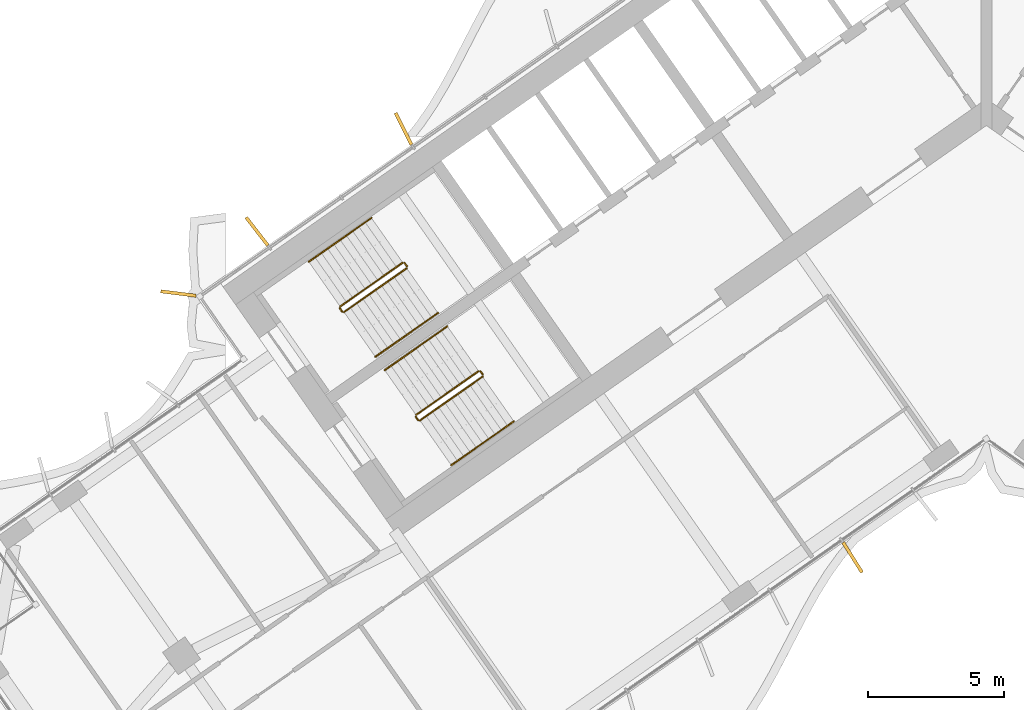
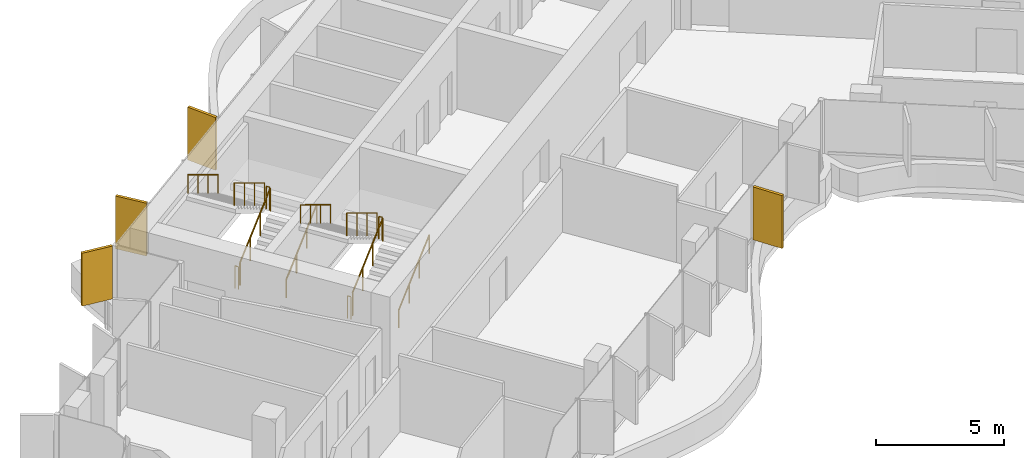
# One storey, part 20 of 23: 12 railings, 4 shading devices.
"""IFC4 building model written with IfcOpenShell, lengths in metres."""

import ifcopenshell
import ifcopenshell.guid

model = None  # the IFC model being written
_history = None  # IfcOwnerHistory: only IFC2X3 demands one
_inside = {}  # id of a spatial element -> (the spatial element, [elements in it])
_under = {}  # id of a project, library or spatial element -> (it, [spatial elements below it])
_declared = {}  # id of a project -> (the project, [libraries it declares])
_typed = {}  # id of a type object -> (the type object, [elements of that type])
_made_of = {}  # id of a material, layer set ... -> (it, [elements and type objects made of it])


def new_model(schema):
    """Start an empty IFC model of exactly this schema.

    Asked for "IFC4X3", IfcOpenShell would pick the latest addendum, in which some entities
    have other attributes; the version numbers below select the first issue.
    IFC2X3 requires an IfcOwnerHistory on every rooted entity: one is made here for all.
    """
    global model, _history
    if schema == "IFC4X3":
        model = ifcopenshell.file(schema_version=(4, 3, 0, 0))
    else:
        model = ifcopenshell.file(schema=schema)
    _inside.clear()
    _under.clear()
    _declared.clear()
    _typed.clear()
    _made_of.clear()
    _history = None
    if model.schema == "IFC2X3":
        org = make("IfcOrganization", Name="unknown")
        user = make(
            "IfcPersonAndOrganization",
            ThePerson=make("IfcPerson", FamilyName="unknown"),
            TheOrganization=org,
        )
        app = make(
            "IfcApplication",
            ApplicationDeveloper=org,
            Version="unknown",
            ApplicationFullName="unknown",
            ApplicationIdentifier="unknown",
        )
        _history = make(
            "IfcOwnerHistory",
            OwningUser=user,
            OwningApplication=app,
            ChangeAction="ADDED",
            CreationDate=0,
        )
    return model


def make(cls, **values):
    """One entity of the class cls with the attributes given. An attribute that is None is left unset."""
    return model.create_entity(
        cls, **{name: value for name, value in values.items() if value is not None}
    )


def rooted(cls, **values):
    """An entity with a GlobalId (a new one), such as an element, a storey or a relation."""
    return make(cls, GlobalId=ifcopenshell.guid.new(), OwnerHistory=_history, **values)


def si_unit(unit_type, name, prefix=None):
    """IfcSIUnit, for example si_unit("LENGTHUNIT", "METRE", prefix="MILLI")."""
    return make("IfcSIUnit", UnitType=unit_type, Prefix=prefix, Name=name)


def assignment(units):
    """IfcUnitAssignment: the units of a project."""
    return None if units is None else make("IfcUnitAssignment", Units=units)


def point(xyz):
    """IfcCartesianPoint."""
    return None if xyz is None else make("IfcCartesianPoint", Coordinates=xyz)


def direction(xyz):
    """IfcDirection."""
    return None if xyz is None else make("IfcDirection", DirectionRatios=xyz)


def frame(location, z_axis=None, x_axis=None):
    """IfcAxis2Placement3D, a coordinate frame: its origin and axes. An axis left out is left unset."""
    return make(
        "IfcAxis2Placement3D",
        Location=point(location),
        Axis=direction(z_axis),
        RefDirection=direction(x_axis),
    )


def frame_2d(location, x_axis=None):
    """IfcAxis2Placement2D, a coordinate frame in the plane: its origin and x axis."""
    return make(
        "IfcAxis2Placement2D", Location=point(location), RefDirection=direction(x_axis)
    )


def origin():
    """The frame at (0, 0, 0) with its axes left unset."""
    return frame((0.0, 0.0, 0.0))


def origin_2d():
    """The frame at (0, 0) in the plane with its x axis left unset."""
    return frame_2d((0.0, 0.0))


def place(relative_to, where):
    """IfcLocalPlacement: puts the frame where relative to a parent placement (None: the world)."""
    return make(
        "IfcLocalPlacement", PlacementRelTo=relative_to, RelativePlacement=where
    )


def context(
    kind, dimensions, precision=None, world=None, true_north=None, identifier=None
):
    """IfcGeometricRepresentationContext, for example the 3D "Model" context."""
    return make(
        "IfcGeometricRepresentationContext",
        ContextIdentifier=identifier,
        ContextType=kind,
        CoordinateSpaceDimension=dimensions,
        Precision=precision,
        WorldCoordinateSystem=world,
        TrueNorth=true_north,
    )


def subcontext(parent, identifier, kind, view, scale=None):
    """IfcGeometricRepresentationSubContext, for example "Body" below "Model"."""
    return make(
        "IfcGeometricRepresentationSubContext",
        ContextIdentifier=identifier,
        ContextType=kind,
        ParentContext=parent,
        TargetScale=scale,
        TargetView=view,
    )


def project(units=None, contexts=None):
    """IfcProject with its units and contexts."""
    return rooted(
        "IfcProject",
        Name="project",
        RepresentationContexts=contexts,
        UnitsInContext=assignment(units),
    )


def spatial(cls, under=None, at=None, **own):
    """A site, building, storey or space (cls), placed at a placement, below another one or the project."""
    s = rooted(cls, ObjectPlacement=at, **own)
    if under is not None:
        _under.setdefault(under.id(), (under, []))[1].append(s)
    return s


def profile(cls, at=None, kind="AREA", **sizes):
    """A parametric profile (cls). Its sizes go by their IFC names, for example OverallWidth=200.0."""
    return make(cls, ProfileType=kind, Position=at, **sizes)


def rectangle(**sizes):
    """IfcRectangleProfileDef."""
    return profile("IfcRectangleProfileDef", **sizes)


def circle(**sizes):
    """IfcCircleProfileDef."""
    return profile("IfcCircleProfileDef", **sizes)


def extrude(swept, where, along, depth):
    """IfcExtrudedAreaSolid: the profile swept, set in the frame where, extruded along a direction by depth."""
    return make(
        "IfcExtrudedAreaSolid",
        SweptArea=swept,
        Position=where,
        ExtrudedDirection=direction(along),
        Depth=depth,
    )


def shape(context_of_items, identifier, shape_type, items):
    """IfcShapeRepresentation: the items that make up one representation, for example the "Body"."""
    return make(
        "IfcShapeRepresentation",
        ContextOfItems=context_of_items,
        RepresentationIdentifier=identifier,
        RepresentationType=shape_type,
        Items=items,
    )


def material(Name=None, Category=None):
    """IfcMaterial."""
    return make("IfcMaterial", Name=Name, Category=Category)


def layer(
    of_material, thickness, ventilated=None, Name=None, Category=None, Priority=None
):
    """IfcMaterialLayer: one layer of a wall or slab, of a material (None: an air gap)."""
    return make(
        "IfcMaterialLayer",
        Material=of_material,
        LayerThickness=thickness,
        IsVentilated=ventilated,
        Name=Name,
        Category=Category,
        Priority=Priority,
    )


def layer_set(layers, Name=None):
    """IfcMaterialLayerSet."""
    return make("IfcMaterialLayerSet", MaterialLayers=layers, LayerSetName=Name)


def made_of(thing, what):
    """Note that an element or type object is made of a material, layer set ...; save() writes the relation."""
    if what is not None:
        _made_of.setdefault(what.id(), (what, []))[1].append(thing)
    return thing


def type_object(cls, material=None, **own):
    """A type object (cls), such as IfcWallType, which elements share."""
    return made_of(rooted(cls, **own), material)


def element(
    cls,
    number,
    at=None,
    inside=None,
    cuts=None,
    type_object=None,
    material=None,
    context=None,
    identifier="Body",
    shape_type=None,
    held_by="IfcProductDefinitionShape",
    body=None,
    shapes=None,
    **own,
):
    """One element of the class cls, such as IfcWall. Its Tag is "e" and its number.

    at: its placement. inside: the storey or other place that contains it. cuts: it is an
    opening in that element (IfcRelVoidsElement). A single representation is given by context,
    identifier, shape_type and body (its items); several are given by shapes. held_by: the class
    of the entity that holds the representations. save() writes the other relations.
    """
    e = rooted(cls, Tag="e%d" % number, ObjectPlacement=at, **own)
    if body is not None:
        shapes = [shape(context, identifier, shape_type, body)]
    if shapes is not None:
        e.Representation = make(held_by, Representations=shapes)
    if inside is not None:
        _inside.setdefault(inside.id(), (inside, []))[1].append(e)
    if cuts is not None:
        rooted(
            "IfcRelVoidsElement", RelatingBuildingElement=cuts, RelatedOpeningElement=e
        )
    if type_object is not None:
        _typed.setdefault(type_object.id(), (type_object, []))[1].append(e)
    return made_of(e, material)


def aggregate(whole, parts):
    """IfcRelAggregates: a whole, such as a stair, and the parts it consists of."""
    return rooted("IfcRelAggregates", RelatingObject=whole, RelatedObjects=parts)


def save(model, path):
    """Write the relations noted so far, then the file.

    IfcRelAggregates (storeys below a building ...), IfcRelContainedInSpatialStructure (elements
    in a storey), IfcRelDefinesByType, IfcRelAssociatesMaterial and IfcRelDeclares: one each for
    every whole, place, type object, material and project.
    """
    for whole, parts in _under.values():
        aggregate(whole, parts)
    for where, things in _inside.values():
        rooted(
            "IfcRelContainedInSpatialStructure",
            RelatedElements=things,
            RelatingStructure=where,
        )
    for kind, things in _typed.values():
        rooted("IfcRelDefinesByType", RelatedObjects=things, RelatingType=kind)
    for what, things in _made_of.values():
        rooted("IfcRelAssociatesMaterial", RelatedObjects=things, RelatingMaterial=what)
    for by, libraries in _declared.values():
        rooted("IfcRelDeclares", RelatingContext=by, RelatedDefinitions=libraries)
    model.write(path)


model = new_model("IFC4")

# Units and contexts
model_context = context("Model", 3, precision=1e-05, world=origin(), true_north=direction((0.0, 1.0)))
body_context = subcontext(model_context, "Body", "Model", "MODEL_VIEW")
ifc_project = project(units=[si_unit("LENGTHUNIT", "METRE"), si_unit("AREAUNIT", "SQUARE_METRE"), si_unit("VOLUMEUNIT", "CUBIC_METRE"), si_unit("PLANEANGLEUNIT", "RADIAN"), si_unit("MASSUNIT", "GRAM", prefix="KILO")], contexts=[model_context])

# Site, building, storey
site_placement = place(None, origin())
site = spatial("IfcSite", under=ifc_project, at=site_placement, CompositionType="ELEMENT")
building_placement = place(site_placement, origin())
building = spatial("IfcBuilding", under=site, at=building_placement, Name="Tel Ilan Convention Tower", CompositionType="ELEMENT")
storey_placement = place(building_placement, frame((0.0, 0.0, 171.0)))
storey = spatial("IfcBuildingStorey", under=building, at=storey_placement, Name="L39", CompositionType="ELEMENT", Elevation=171.0)

# Shading devices
ifc_material_1 = material(Name="Aluminium, bronze anodised", Category="aluminium")
ifc_layer = layer(ifc_material_1, 0.1201171875)
ifc_layer_set = layer_set([ifc_layer], Name="FIN BRONZE 1300x120")
shading_device_type = type_object("IfcShadingDeviceType", Name="FIN BRONZE 1300x120", PredefinedType="USERDEFINED", material=ifc_layer_set)
for number, where, z_axis, x_axis, name in (
    (1, (-21.357421875, -1.34130859375, 1.10009765625), (0.0, 0.0, 1.0), (-0.448799180206, 0.893632640321, 0.0), "FIN"),
    (2, (-26.725830078125, -5.099853515625, 1.10009765625), (0.0, 0.0, 1.0), (-0.612600545196, 0.790392669516, 0.0), "FIN"),
    (3, (-29.60595703125, -7.376953125, 1.10009765625), (0.0, 0.0, 1.0), (-0.992066016082, 0.125718016748, 0.0), "FIN"),
    (4, (-4.90234375, -17.04638671875, 1.10009765625), (0.0, 0.0, 1.0), (0.533204432798, -0.845986425922, 0.0), "FIN"),
):
    element("IfcShadingDevice", number, at=place(storey_placement, frame(where, z_axis=z_axis, x_axis=x_axis)), inside=storey, type_object=shading_device_type, Name=name, ObjectType="FIN", PredefinedType="USERDEFINED", context=body_context, shape_type="SweptSolid", body=[
        extrude(rectangle(XDim=1.300048828125, YDim=0.1201171875, at=origin_2d()), origin(), (0.0, 0.0, 1.0), 2.52001953125),
    ])

# Railings
ifc_material_2 = material(Name="Stainless Steel Grade 316", Category="steel")
railing_type_1 = type_object("IfcRailingType", Name="Stainless Steel Stair Guard 1100 mm", PredefinedType="GUARDRAIL", material=ifc_material_2)
railing_1_placement = place(storey_placement, frame((-23.535400390625, -8.056396484375, 0.17724609375)))
element("IfcRailing", 5, at=railing_1_placement, inside=storey, type_object=railing_type_1, Name="L39 S1 stair guard 1", PredefinedType="GUARDRAIL", context=body_context, shape_type="SweptSolid", body=[
    extrude(circle(Radius=0.02392578125, at=origin_2d()), frame((0.0, 0.0, 1.076171875), z_axis=(0.692098378994, 0.484653031975, 0.534893701956), x_axis=(-0.573608623498, 0.819129505664, 0.0)), (0.0, 0.0, 1.0), 3.314208984375),
    extrude(circle(Radius=0.02099609375, at=origin_2d()), origin(), (0.0, 0.0, 1.0), 1.052001953125),
    extrude(circle(Radius=0.02099609375, at=origin_2d()), frame((0.7646484375, 0.535400390625, 0.5908203125)), (0.0, 0.0, 1.0), 1.052001953125),
    extrude(circle(Radius=0.02099609375, at=origin_2d()), frame((1.529052734375, 1.07080078125, 1.181884765625)), (0.0, 0.0, 1.0), 1.052001953125),
    extrude(circle(Radius=0.02099609375, at=origin_2d()), frame((2.293701171875, 1.606201171875, 1.772705078125)), (0.0, 0.0, 1.0), 1.052001953125),
])
railing_2_placement = place(storey_placement, frame((-21.2294921875, -6.380615234375, 1.949951171875)))
element("IfcRailing", 6, at=railing_2_placement, inside=storey, type_object=railing_type_1, Name="L39 S1 stair guard 2", PredefinedType="GUARDRAIL", context=body_context, shape_type="SweptSolid", body=[
    extrude(circle(Radius=0.02392578125, at=origin_2d()), frame((0.0, 0.0, 1.076171875), z_axis=(-0.573353020881, 0.819308436089, 0.0), x_axis=(-0.819308436089, -0.573353020881, 0.0)), (0.0, 0.0, 1.0), 0.14990234375),
    extrude(circle(Radius=0.02099609375, at=origin_2d()), origin(), (0.0, 0.0, 1.0), 1.052001953125),
    extrude(circle(Radius=0.02099609375, at=origin_2d()), frame((-0.0859375, 0.122802734375, 0.0)), (0.0, 0.0, 1.0), 1.052001953125),
])
railing_3_placement = place(storey_placement, frame((-21.38525390625, -6.24560546875, 2.127197265625)))
element("IfcRailing", 7, at=railing_3_placement, inside=storey, type_object=railing_type_1, Name="L39 S1 stair guard 3", PredefinedType="GUARDRAIL", context=body_context, shape_type="SweptSolid", body=[
    extrude(circle(Radius=0.02392578125, at=origin_2d()), frame((0.0, 0.0, 1.076171875), z_axis=(-0.692084706163, -0.484621375041, 0.534940073605), x_axis=(0.573591086599, -0.819141785879, 0.0)), (0.0, 0.0, 1.0), 3.313720703125),
    extrude(circle(Radius=0.02099609375, at=origin_2d()), origin(), (0.0, 0.0, 1.0), 1.052001953125),
    extrude(circle(Radius=0.02099609375, at=origin_2d()), frame((-0.764404296875, -0.535400390625, 0.5908203125)), (0.0, 0.0, 1.0), 1.052001953125),
    extrude(circle(Radius=0.02099609375, at=origin_2d()), frame((-1.529052734375, -1.070556640625, 1.181884765625)), (0.0, 0.0, 1.0), 1.052001953125),
    extrude(circle(Radius=0.02099609375, at=origin_2d()), frame((-2.29345703125, -1.60595703125, 1.772705078125)), (0.0, 0.0, 1.0), 1.052001953125),
])
railing_4_placement = place(storey_placement, frame((-23.60498046875, -8.0439453125, 0.0)))
element("IfcRailing", 8, at=railing_4_placement, inside=storey, type_object=railing_type_1, Name="L39 S1 stair guard 4", PredefinedType="GUARDRAIL", context=body_context, shape_type="SweptSolid", body=[
    extrude(circle(Radius=0.02392578125, at=origin_2d()), frame((0.0, 0.0, 1.076171875), z_axis=(-0.574444878118, 0.818543268254, 0.0), x_axis=(-0.818543268254, -0.574444878118, 0.0)), (0.0, 0.0, 1.0), 0.150146484375),
    extrude(circle(Radius=0.02099609375, at=origin_2d()), origin(), (0.0, 0.0, 1.0), 1.052001953125),
    extrude(circle(Radius=0.02099609375, at=origin_2d()), frame((-0.086181640625, 0.122802734375, 0.0)), (0.0, 0.0, 1.0), 1.052001953125),
])
railing_5_placement = place(storey_placement, frame((-20.753662109375, -12.029296875, 0.17724609375)))
element("IfcRailing", 9, at=railing_5_placement, inside=storey, type_object=railing_type_1, Name="L39 S2 stair guard 1", PredefinedType="GUARDRAIL", context=body_context, shape_type="SweptSolid", body=[
    extrude(circle(Radius=0.02392578125, at=origin_2d()), frame((0.0, 0.0, 1.076171875), z_axis=(0.692098378994, 0.484653031975, 0.534893701956), x_axis=(-0.573608623498, 0.819129505664, 0.0)), (0.0, 0.0, 1.0), 3.314208984375),
    extrude(circle(Radius=0.02099609375, at=origin_2d()), origin(), (0.0, 0.0, 1.0), 1.052001953125),
    extrude(circle(Radius=0.02099609375, at=origin_2d()), frame((0.7646484375, 0.535400390625, 0.5908203125)), (0.0, 0.0, 1.0), 1.052001953125),
    extrude(circle(Radius=0.02099609375, at=origin_2d()), frame((1.529052734375, 1.07080078125, 1.181884765625)), (0.0, 0.0, 1.0), 1.052001953125),
    extrude(circle(Radius=0.02099609375, at=origin_2d()), frame((2.293701171875, 1.606201171875, 1.772705078125)), (0.0, 0.0, 1.0), 1.052001953125),
])
railing_6_placement = place(storey_placement, frame((-18.44775390625, -10.353515625, 1.949951171875)))
element("IfcRailing", 10, at=railing_6_placement, inside=storey, type_object=railing_type_1, Name="L39 S2 stair guard 2", PredefinedType="GUARDRAIL", context=body_context, shape_type="SweptSolid", body=[
    extrude(circle(Radius=0.02392578125, at=origin_2d()), frame((0.0, 0.0, 1.076171875), z_axis=(-0.573353020881, 0.819308436089, 0.0), x_axis=(-0.819308436089, -0.573353020881, 0.0)), (0.0, 0.0, 1.0), 0.14990234375),
    extrude(circle(Radius=0.02099609375, at=origin_2d()), origin(), (0.0, 0.0, 1.0), 1.052001953125),
    extrude(circle(Radius=0.02099609375, at=origin_2d()), frame((-0.0859375, 0.122802734375, 0.0)), (0.0, 0.0, 1.0), 1.052001953125),
])
railing_7_placement = place(storey_placement, frame((-18.603271484375, -10.218505859375, 2.127197265625)))
element("IfcRailing", 11, at=railing_7_placement, inside=storey, type_object=railing_type_1, Name="L39 S2 stair guard 3", PredefinedType="GUARDRAIL", context=body_context, shape_type="SweptSolid", body=[
    extrude(circle(Radius=0.02392578125, at=origin_2d()), frame((0.0, 0.0, 1.076171875), z_axis=(-0.692123088272, -0.484596665743, 0.534912798717), x_axis=(0.573550118428, -0.819170471667, 0.0)), (0.0, 0.0, 1.0), 3.31396484375),
    extrude(circle(Radius=0.02099609375, at=origin_2d()), origin(), (0.0, 0.0, 1.0), 1.052001953125),
    extrude(circle(Radius=0.02099609375, at=origin_2d()), frame((-0.7646484375, -0.535400390625, 0.5908203125)), (0.0, 0.0, 1.0), 1.052001953125),
    extrude(circle(Radius=0.02099609375, at=origin_2d()), frame((-1.529052734375, -1.070556640625, 1.181884765625)), (0.0, 0.0, 1.0), 1.052001953125),
    extrude(circle(Radius=0.02099609375, at=origin_2d()), frame((-2.293701171875, -1.60595703125, 1.772705078125)), (0.0, 0.0, 1.0), 1.052001953125),
])
railing_8_placement = place(storey_placement, frame((-20.8232421875, -12.016845703125, 0.0)))
element("IfcRailing", 12, at=railing_8_placement, inside=storey, type_object=railing_type_1, Name="L39 S2 stair guard 4", PredefinedType="GUARDRAIL", context=body_context, shape_type="SweptSolid", body=[
    extrude(circle(Radius=0.02392578125, at=origin_2d()), frame((0.0, 0.0, 1.076171875), z_axis=(-0.573353020881, 0.819308436089, 0.0), x_axis=(-0.819308436089, -0.573353020881, 0.0)), (0.0, 0.0, 1.0), 0.14990234375),
    extrude(circle(Radius=0.02099609375, at=origin_2d()), origin(), (0.0, 0.0, 1.0), 1.052001953125),
    extrude(circle(Radius=0.02099609375, at=origin_2d()), frame((-0.0859375, 0.122802734375, 0.0)), (0.0, 0.0, 1.0), 1.052001953125),
])
ifc_material_3 = material(Name="Stainless Steel Grade 316", Category="steel")
railing_type_2 = type_object("IfcRailingType", Name="Stainless Steel Stair Handrail 900 mm", PredefinedType="HANDRAIL", material=ifc_material_3)
railing_9_placement = place(storey_placement, frame((-22.38818359375, -9.694580078125, 0.17724609375)))
element("IfcRailing", 13, at=railing_9_placement, inside=storey, type_object=railing_type_2, Name="L39 S1 stair handrail 1", PredefinedType="HANDRAIL", context=body_context, shape_type="SweptSolid", body=[
    extrude(circle(Radius=0.02392578125, at=origin_2d()), frame((0.0, 0.0, 0.8759765625), z_axis=(0.692084706163, 0.484621375041, 0.534940073605), x_axis=(-0.573591086599, 0.819141785879, 0.0)), (0.0, 0.0, 1.0), 3.313720703125),
    extrude(circle(Radius=0.02099609375, at=origin_2d()), origin(), (0.0, 0.0, 1.0), 0.851806640625),
    extrude(circle(Radius=0.02099609375, at=origin_2d()), frame((0.764404296875, 0.535400390625, 0.5908203125)), (0.0, 0.0, 1.0), 0.851806640625),
    extrude(circle(Radius=0.02099609375, at=origin_2d()), frame((1.529052734375, 1.070556640625, 1.181884765625)), (0.0, 0.0, 1.0), 0.851806640625),
    extrude(circle(Radius=0.02099609375, at=origin_2d()), frame((2.29345703125, 1.60595703125, 1.772705078125)), (0.0, 0.0, 1.0), 0.851806640625),
])
railing_10_placement = place(storey_placement, frame((-22.5322265625, -4.607177734375, 2.127197265625)))
element("IfcRailing", 14, at=railing_10_placement, inside=storey, type_object=railing_type_2, Name="L39 S1 stair handrail 2", PredefinedType="HANDRAIL", context=body_context, shape_type="SweptSolid", body=[
    extrude(circle(Radius=0.02392578125, at=origin_2d()), frame((0.0, 0.0, 0.8759765625), z_axis=(-0.692123088272, -0.484596665743, 0.534912798717), x_axis=(0.573550118428, -0.819170471667, 0.0)), (0.0, 0.0, 1.0), 3.31396484375),
    extrude(circle(Radius=0.02099609375, at=origin_2d()), origin(), (0.0, 0.0, 1.0), 0.851806640625),
    extrude(circle(Radius=0.02099609375, at=origin_2d()), frame((-0.7646484375, -0.535400390625, 0.5908203125)), (0.0, 0.0, 1.0), 0.851806640625),
    extrude(circle(Radius=0.02099609375, at=origin_2d()), frame((-1.529052734375, -1.070556640625, 1.181884765625)), (0.0, 0.0, 1.0), 0.851806640625),
    extrude(circle(Radius=0.02099609375, at=origin_2d()), frame((-2.293701171875, -1.60595703125, 1.772705078125)), (0.0, 0.0, 1.0), 0.851806640625),
])
railing_11_placement = place(storey_placement, frame((-19.6064453125, -13.66748046875, 0.17724609375)))
element("IfcRailing", 15, at=railing_11_placement, inside=storey, type_object=railing_type_2, Name="L39 S2 stair handrail 1", PredefinedType="HANDRAIL", context=body_context, shape_type="SweptSolid", body=[
    extrude(circle(Radius=0.02392578125, at=origin_2d()), frame((0.0, 0.0, 0.8759765625), z_axis=(0.692123088272, 0.484596665743, 0.534912798717), x_axis=(-0.573550118428, 0.819170471667, 0.0)), (0.0, 0.0, 1.0), 3.31396484375),
    extrude(circle(Radius=0.02099609375, at=origin_2d()), origin(), (0.0, 0.0, 1.0), 0.851806640625),
    extrude(circle(Radius=0.02099609375, at=origin_2d()), frame((0.7646484375, 0.535400390625, 0.5908203125)), (0.0, 0.0, 1.0), 0.851806640625),
    extrude(circle(Radius=0.02099609375, at=origin_2d()), frame((1.529052734375, 1.070556640625, 1.181884765625)), (0.0, 0.0, 1.0), 0.851806640625),
    extrude(circle(Radius=0.02099609375, at=origin_2d()), frame((2.293701171875, 1.60595703125, 1.772705078125)), (0.0, 0.0, 1.0), 0.851806640625),
])
railing_12_placement = place(storey_placement, frame((-19.75048828125, -8.580078125, 2.127197265625)))
element("IfcRailing", 16, at=railing_12_placement, inside=storey, type_object=railing_type_2, Name="L39 S2 stair handrail 2", PredefinedType="HANDRAIL", context=body_context, shape_type="SweptSolid", body=[
    extrude(circle(Radius=0.02392578125, at=origin_2d()), frame((0.0, 0.0, 0.8759765625), z_axis=(-0.692123088272, -0.484596665743, 0.534912798717), x_axis=(0.573550118428, -0.819170471667, 0.0)), (0.0, 0.0, 1.0), 3.31396484375),
    extrude(circle(Radius=0.02099609375, at=origin_2d()), origin(), (0.0, 0.0, 1.0), 0.851806640625),
    extrude(circle(Radius=0.02099609375, at=origin_2d()), frame((-0.7646484375, -0.535400390625, 0.5908203125)), (0.0, 0.0, 1.0), 0.851806640625),
    extrude(circle(Radius=0.02099609375, at=origin_2d()), frame((-1.529052734375, -1.070556640625, 1.181884765625)), (0.0, 0.0, 1.0), 0.851806640625),
    extrude(circle(Radius=0.02099609375, at=origin_2d()), frame((-2.293701171875, -1.60595703125, 1.772705078125)), (0.0, 0.0, 1.0), 0.851806640625),
])

save(model, "model.ifc")
